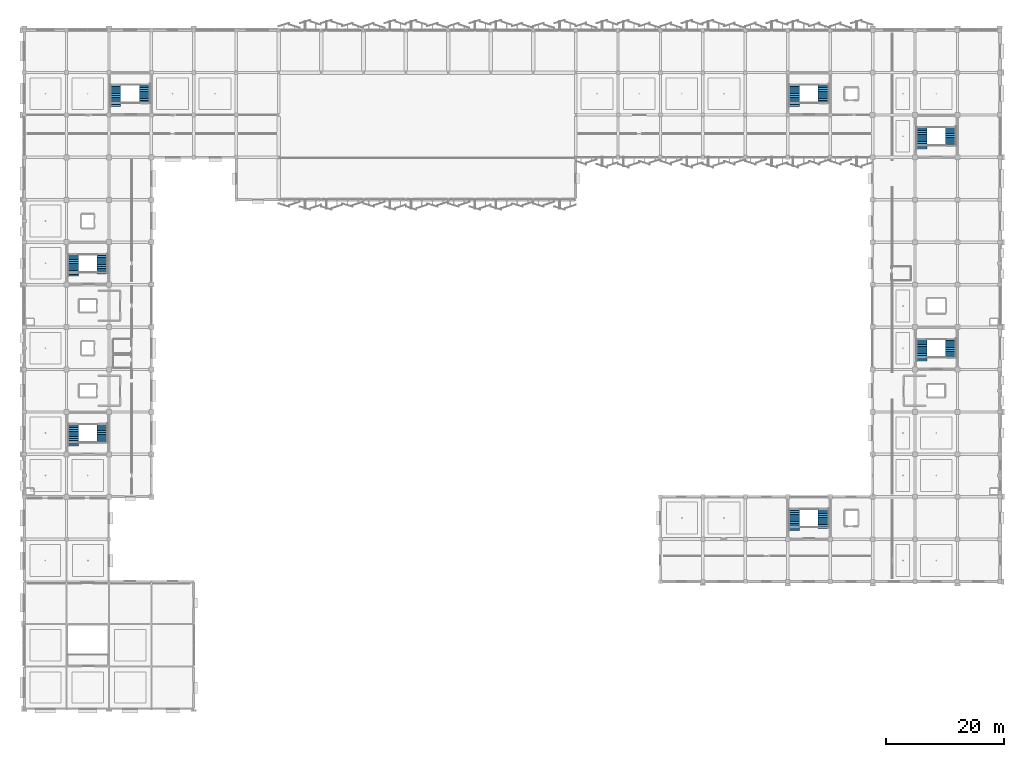
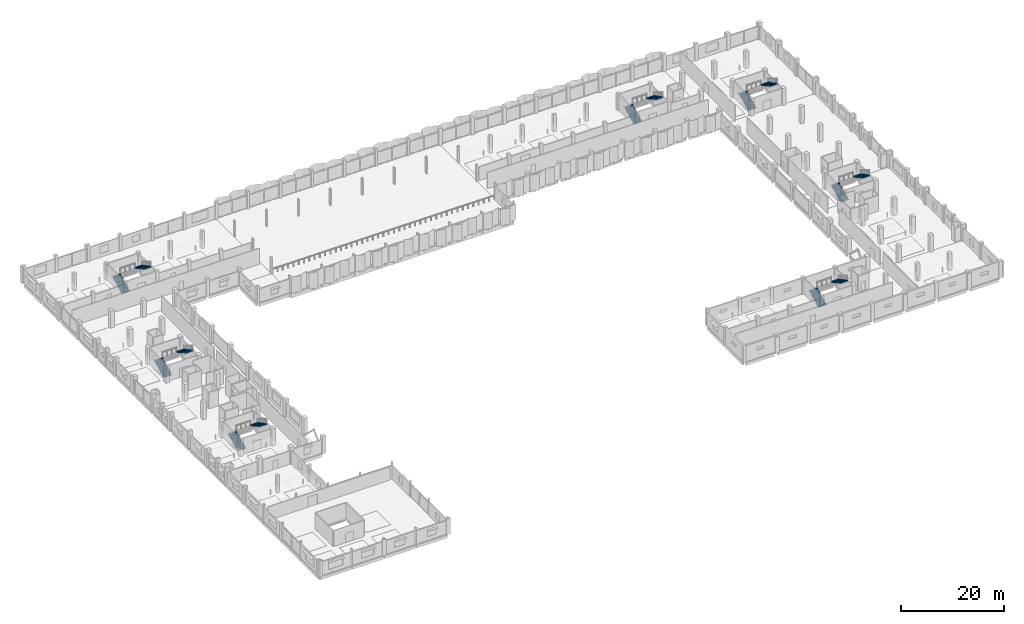
# One storey, part 86 of 107: 14 stair flights, 7 elements without a shape of their own.
"""IFC4 building model written with IfcOpenShell, lengths in metres."""

from ifc_helpers import new_model, si_unit, direction, frame, origin, place, context, subcontext, project, spatial, polyline, outline, extrude, material, type_object, element, aggregate, save


model = new_model("IFC4")

# Units and contexts
model_context = context("Model", 3, precision=1e-05, world=origin(), true_north=direction((0.0, 1.0)))
body_context = subcontext(model_context, "Body", "Model", "MODEL_VIEW")
ifc_project = project(units=[si_unit("LENGTHUNIT", "METRE"), si_unit("AREAUNIT", "SQUARE_METRE"), si_unit("VOLUMEUNIT", "CUBIC_METRE"), si_unit("PLANEANGLEUNIT", "RADIAN"), si_unit("MASSUNIT", "GRAM", prefix="KILO")], contexts=[model_context])

# Site, building, storey
site_placement = place(None, origin())
site = spatial("IfcSite", under=ifc_project, at=site_placement, CompositionType="ELEMENT")
building_placement = place(site_placement, origin())
building = spatial("IfcBuilding", under=site, at=building_placement, Name="Kangsadwip Square Police Headquarters", CompositionType="ELEMENT")
storey_placement = place(building_placement, frame((0.0, 0.0, 5.39990234375)))
storey = spatial("IfcBuildingStorey", under=building, at=storey_placement, Name="L01", CompositionType="ELEMENT", Elevation=5.39990234375)

# Stair, stair flight
ifc_material_1 = material(Name="Concrete M35 (35 MPa)", Category="concrete")
stair_type_1 = type_object("IfcStairType", Name="Stair2FlightSecW1800", PredefinedType="HALF_TURN_STAIR", material=ifc_material_1)
stair_1_placement = place(storey_placement, origin())
stair_1 = element("IfcStair", 1, at=stair_1_placement, inside=storey, type_object=stair_type_1, Name="Protected Stair ST-07 L01", PredefinedType="HALF_TURN_STAIR")
ifc_material_2 = material(Name="Concrete M35 (35 MPa)", Category="concrete")
stair_flight_type_1 = type_object("IfcStairFlightType", Name="Flight12RSecW1800", PredefinedType="STRAIGHT", material=ifc_material_2)
stair_flight_1_placement = place(storey_placement, frame((20.52001953125, 106.06005859375, 2.106201171875), z_axis=(0.0, 0.0, 1.0), x_axis=(0.0, -1.0, 0.0)))
stair_flight_1 = element("IfcStairFlight", 2, at=stair_flight_1_placement, type_object=stair_flight_type_1, Name="ST-07 flight 2", NumberOfRisers=12, NumberOfTreads=11, PredefinedType="STRAIGHT", RiserHeight=0.162, TreadLength=0.31, context=body_context, shape_type="SweptSolid", body=[
    extrude(outline(polyline([(0.0, 0.0), (0.0, 0.162109375), (0.31005859375, 0.162109375), (0.31005859375, 0.323974609375), (0.6201171875, 0.323974609375), (0.6201171875, 0.486083984375), (0.929931640625, 0.486083984375), (0.929931640625, 0.64794921875), (1.239990234375, 0.64794921875), (1.239990234375, 0.81005859375), (1.550048828125, 0.81005859375), (1.550048828125, 0.971923828125), (1.860107421875, 0.971923828125), (1.860107421875, 1.134033203125), (2.169921875, 1.134033203125), (2.169921875, 1.2958984375), (2.47998046875, 1.2958984375), (2.47998046875, 1.4580078125), (2.7900390625, 1.4580078125), (2.7900390625, 1.6201171875), (3.10009765625, 1.6201171875), (3.10009765625, 1.781982421875), (3.409912109375, 1.781982421875), (3.409912109375, 1.944091796875), (3.409912109375, 1.6015625), (0.34521484375, 0.0), (0.0, 0.0)])), frame((0.0, 0.89990234375, 0.0), z_axis=(0.0, -1.0, 0.0), x_axis=(1.0, 0.0, 0.0)), (0.0, 0.0, 1.0), 1.800048828125),
])

ifc_material_3 = material(Name="Concrete M35 (35 MPa)", Category="concrete")
stair_type_2 = type_object("IfcStairType", Name="Stair2FlightTypW1850", PredefinedType="HALF_TURN_STAIR", material=ifc_material_3)
stair_2_placement = place(storey_placement, origin())
stair_2 = element("IfcStair", 3, at=stair_2_placement, inside=storey, type_object=stair_type_2, Name="Protected Stair ST-01 L01", PredefinedType="HALF_TURN_STAIR")
ifc_material_4 = material(Name="Concrete M35 (35 MPa)", Category="concrete")
stair_flight_type_2 = type_object("IfcStairFlightType", Name="Flight12RTypW1850", PredefinedType="STRAIGHT", material=ifc_material_4)
stair_flight_2_placement = place(storey_placement, frame((13.294921875, 48.4599609375, 2.106201171875), z_axis=(0.0, 0.0, 1.0), x_axis=(0.0, -1.0, 0.0)))
stair_flight_2 = element("IfcStairFlight", 4, at=stair_flight_2_placement, type_object=stair_flight_type_2, Name="ST-01 flight 2", NumberOfRisers=12, NumberOfTreads=11, PredefinedType="STRAIGHT", RiserHeight=0.162, TreadLength=0.31, context=body_context, shape_type="SweptSolid", body=[
    extrude(outline(polyline([(0.0, 0.0), (0.0, 0.162109375), (0.31005859375, 0.162109375), (0.31005859375, 0.323974609375), (0.6201171875, 0.323974609375), (0.6201171875, 0.486083984375), (0.929931640625, 0.486083984375), (0.929931640625, 0.64794921875), (1.239990234375, 0.64794921875), (1.239990234375, 0.81005859375), (1.550048828125, 0.81005859375), (1.550048828125, 0.971923828125), (1.860107421875, 0.971923828125), (1.860107421875, 1.134033203125), (2.169921875, 1.134033203125), (2.169921875, 1.2958984375), (2.47998046875, 1.2958984375), (2.47998046875, 1.4580078125), (2.7900390625, 1.4580078125), (2.7900390625, 1.6201171875), (3.10009765625, 1.6201171875), (3.10009765625, 1.781982421875), (3.409912109375, 1.781982421875), (3.409912109375, 1.944091796875), (3.409912109375, 1.6015625), (0.34521484375, 0.0), (0.0, 0.0)])), frame((0.0, 0.925048828125, 0.0), z_axis=(0.0, -1.0, 0.0), x_axis=(1.0, 0.0, 0.0)), (0.0, 0.0, 1.0), 1.85009765625),
])

stair_3_placement = place(storey_placement, origin())
stair_3 = element("IfcStair", 5, at=stair_3_placement, inside=storey, type_object=stair_type_2, Name="Protected Stair ST-02 L01", PredefinedType="HALF_TURN_STAIR")
stair_flight_3_placement = place(storey_placement, frame((13.294921875, 77.260009765625, 2.106201171875), z_axis=(0.0, 0.0, 1.0), x_axis=(0.0, -1.0, 0.0)))
stair_flight_3 = element("IfcStairFlight", 6, at=stair_flight_3_placement, type_object=stair_flight_type_2, Name="ST-02 flight 2", NumberOfRisers=12, NumberOfTreads=11, PredefinedType="STRAIGHT", RiserHeight=0.162, TreadLength=0.31, context=body_context, shape_type="SweptSolid", body=[
    extrude(outline(polyline([(0.0, 0.0), (0.0, 0.162109375), (0.31005859375, 0.162109375), (0.31005859375, 0.323974609375), (0.6201171875, 0.323974609375), (0.6201171875, 0.486083984375), (0.929931640625, 0.486083984375), (0.929931640625, 0.64794921875), (1.239990234375, 0.64794921875), (1.239990234375, 0.81005859375), (1.550048828125, 0.81005859375), (1.550048828125, 0.971923828125), (1.860107421875, 0.971923828125), (1.860107421875, 1.134033203125), (2.169921875, 1.134033203125), (2.169921875, 1.2958984375), (2.47998046875, 1.2958984375), (2.47998046875, 1.4580078125), (2.7900390625, 1.4580078125), (2.7900390625, 1.6201171875), (3.10009765625, 1.6201171875), (3.10009765625, 1.781982421875), (3.409912109375, 1.781982421875), (3.409912109375, 1.944091796875), (3.409912109375, 1.6015625), (0.34521484375, 0.0), (0.0, 0.0)])), frame((0.0, 0.925048828125, 0.0), z_axis=(0.0, -1.0, 0.0), x_axis=(1.0, 0.0, 0.0)), (0.0, 0.0, 1.0), 1.85009765625),
])

stair_4_placement = place(storey_placement, origin())
stair_4 = element("IfcStair", 7, at=stair_4_placement, inside=storey, type_object=stair_type_2, Name="Protected Stair ST-03 L01", PredefinedType="HALF_TURN_STAIR")
stair_flight_4_placement = place(storey_placement, frame((157.294921875, 62.860107421875, 2.106201171875), z_axis=(0.0, 0.0, 1.0), x_axis=(0.0, -1.0, 0.0)))
stair_flight_4 = element("IfcStairFlight", 8, at=stair_flight_4_placement, type_object=stair_flight_type_2, Name="ST-03 flight 2", NumberOfRisers=12, NumberOfTreads=11, PredefinedType="STRAIGHT", RiserHeight=0.162, TreadLength=0.31, context=body_context, shape_type="SweptSolid", body=[
    extrude(outline(polyline([(0.0, 0.0), (0.0, 0.162109375), (0.31005859375, 0.162109375), (0.31005859375, 0.323974609375), (0.6201171875, 0.323974609375), (0.6201171875, 0.486083984375), (0.929931640625, 0.486083984375), (0.929931640625, 0.64794921875), (1.239990234375, 0.64794921875), (1.239990234375, 0.81005859375), (1.550048828125, 0.81005859375), (1.550048828125, 0.971923828125), (1.860107421875, 0.971923828125), (1.860107421875, 1.134033203125), (2.169921875, 1.134033203125), (2.169921875, 1.2958984375), (2.47998046875, 1.2958984375), (2.47998046875, 1.4580078125), (2.7900390625, 1.4580078125), (2.7900390625, 1.6201171875), (3.10009765625, 1.6201171875), (3.10009765625, 1.781982421875), (3.409912109375, 1.781982421875), (3.409912109375, 1.944091796875), (3.409912109375, 1.6015625), (0.34521484375, 0.0), (0.0, 0.0)])), frame((0.0, 0.925048828125, 0.0), z_axis=(0.0, -1.0, 0.0), x_axis=(1.0, 0.0, 0.0)), (0.0, 0.0, 1.0), 1.85009765625),
])

stair_5_placement = place(storey_placement, origin())
stair_5 = element("IfcStair", 9, at=stair_5_placement, inside=storey, type_object=stair_type_2, Name="Protected Stair ST-04 L01", PredefinedType="HALF_TURN_STAIR")
stair_flight_5_placement = place(storey_placement, frame((157.294921875, 98.860107421875, 2.106201171875), z_axis=(0.0, 0.0, 1.0), x_axis=(0.0, -1.0, 0.0)))
stair_flight_5 = element("IfcStairFlight", 10, at=stair_flight_5_placement, type_object=stair_flight_type_2, Name="ST-04 flight 2", NumberOfRisers=12, NumberOfTreads=11, PredefinedType="STRAIGHT", RiserHeight=0.162, TreadLength=0.31, context=body_context, shape_type="SweptSolid", body=[
    extrude(outline(polyline([(0.0, 0.0), (0.0, 0.162109375), (0.31005859375, 0.162109375), (0.31005859375, 0.323974609375), (0.6201171875, 0.323974609375), (0.6201171875, 0.486083984375), (0.929931640625, 0.486083984375), (0.929931640625, 0.64794921875), (1.239990234375, 0.64794921875), (1.239990234375, 0.81005859375), (1.550048828125, 0.81005859375), (1.550048828125, 0.971923828125), (1.860107421875, 0.971923828125), (1.860107421875, 1.134033203125), (2.169921875, 1.134033203125), (2.169921875, 1.2958984375), (2.47998046875, 1.2958984375), (2.47998046875, 1.4580078125), (2.7900390625, 1.4580078125), (2.7900390625, 1.6201171875), (3.10009765625, 1.6201171875), (3.10009765625, 1.781982421875), (3.409912109375, 1.781982421875), (3.409912109375, 1.944091796875), (3.409912109375, 1.6015625), (0.34521484375, 0.0), (0.0, 0.0)])), frame((0.0, 0.925048828125, 0.0), z_axis=(0.0, -1.0, 0.0), x_axis=(1.0, 0.0, 0.0)), (0.0, 0.0, 1.0), 1.85009765625),
])

stair_6_placement = place(storey_placement, origin())
stair_6 = element("IfcStair", 11, at=stair_6_placement, inside=storey, type_object=stair_type_2, Name="Protected Stair ST-05 L01", PredefinedType="HALF_TURN_STAIR")
stair_flight_6_placement = place(storey_placement, frame((135.695068359375, 106.06005859375, 2.106201171875), z_axis=(0.0, 0.0, 1.0), x_axis=(0.0, -1.0, 0.0)))
stair_flight_6 = element("IfcStairFlight", 12, at=stair_flight_6_placement, type_object=stair_flight_type_2, Name="ST-05 flight 2", NumberOfRisers=12, NumberOfTreads=11, PredefinedType="STRAIGHT", RiserHeight=0.162, TreadLength=0.31, context=body_context, shape_type="SweptSolid", body=[
    extrude(outline(polyline([(0.0, 0.0), (0.0, 0.162109375), (0.31005859375, 0.162109375), (0.31005859375, 0.323974609375), (0.6201171875, 0.323974609375), (0.6201171875, 0.486083984375), (0.929931640625, 0.486083984375), (0.929931640625, 0.64794921875), (1.239990234375, 0.64794921875), (1.239990234375, 0.81005859375), (1.550048828125, 0.81005859375), (1.550048828125, 0.971923828125), (1.860107421875, 0.971923828125), (1.860107421875, 1.134033203125), (2.169921875, 1.134033203125), (2.169921875, 1.2958984375), (2.47998046875, 1.2958984375), (2.47998046875, 1.4580078125), (2.7900390625, 1.4580078125), (2.7900390625, 1.6201171875), (3.10009765625, 1.6201171875), (3.10009765625, 1.781982421875), (3.409912109375, 1.781982421875), (3.409912109375, 1.944091796875), (3.409912109375, 1.6015625), (0.34521484375, 0.0), (0.0, 0.0)])), frame((0.0, 0.925048828125, 0.0), z_axis=(0.0, -1.0, 0.0), x_axis=(1.0, 0.0, 0.0)), (0.0, 0.0, 1.0), 1.85009765625),
])

stair_7_placement = place(storey_placement, origin())
stair_7 = element("IfcStair", 13, at=stair_7_placement, inside=storey, type_object=stair_type_2, Name="Protected Stair ST-06 L01", PredefinedType="HALF_TURN_STAIR")
stair_flight_7_placement = place(storey_placement, frame((135.695068359375, 34.06005859375, 2.106201171875), z_axis=(0.0, 0.0, 1.0), x_axis=(0.0, -1.0, 0.0)))
stair_flight_7 = element("IfcStairFlight", 14, at=stair_flight_7_placement, type_object=stair_flight_type_2, Name="ST-06 flight 2", NumberOfRisers=12, NumberOfTreads=11, PredefinedType="STRAIGHT", RiserHeight=0.162, TreadLength=0.31, context=body_context, shape_type="SweptSolid", body=[
    extrude(outline(polyline([(0.0, 0.0), (0.0, 0.162109375), (0.31005859375, 0.162109375), (0.31005859375, 0.323974609375), (0.6201171875, 0.323974609375), (0.6201171875, 0.486083984375), (0.929931640625, 0.486083984375), (0.929931640625, 0.64794921875), (1.239990234375, 0.64794921875), (1.239990234375, 0.81005859375), (1.550048828125, 0.81005859375), (1.550048828125, 0.971923828125), (1.860107421875, 0.971923828125), (1.860107421875, 1.134033203125), (2.169921875, 1.134033203125), (2.169921875, 1.2958984375), (2.47998046875, 1.2958984375), (2.47998046875, 1.4580078125), (2.7900390625, 1.4580078125), (2.7900390625, 1.6201171875), (3.10009765625, 1.6201171875), (3.10009765625, 1.781982421875), (3.409912109375, 1.781982421875), (3.409912109375, 1.944091796875), (3.409912109375, 1.6015625), (0.34521484375, 0.0), (0.0, 0.0)])), frame((0.0, 0.925048828125, 0.0), z_axis=(0.0, -1.0, 0.0), x_axis=(1.0, 0.0, 0.0)), (0.0, 0.0, 1.0), 1.85009765625),
])

# Stair flight
ifc_material_5 = material(Name="Concrete M35 (35 MPa)", Category="concrete")
stair_flight_type_3 = type_object("IfcStairFlightType", Name="Flight13RSecW1800", PredefinedType="STRAIGHT", material=ifc_material_5)
stair_flight_8_placement = place(storey_placement, frame((15.47998046875, 102.239990234375, 0.0), z_axis=(0.0, 0.0, 1.0), x_axis=(0.0, 1.0, 0.0)))
stair_flight_8 = element("IfcStairFlight", 15, at=stair_flight_8_placement, type_object=stair_flight_type_3, Name="ST-07 flight 1", NumberOfRisers=13, NumberOfTreads=12, PredefinedType="STRAIGHT", RiserHeight=0.162, TreadLength=0.31, context=body_context, shape_type="SweptSolid", body=[
    extrude(outline(polyline([(0.0, 0.0), (0.0, 0.162109375), (0.31005859375, 0.162109375), (0.31005859375, 0.323974609375), (0.6201171875, 0.323974609375), (0.6201171875, 0.486083984375), (0.929931640625, 0.486083984375), (0.929931640625, 0.64794921875), (1.239990234375, 0.64794921875), (1.239990234375, 0.81005859375), (1.550048828125, 0.81005859375), (1.550048828125, 0.971923828125), (1.860107421875, 0.971923828125), (1.860107421875, 1.134033203125), (2.169921875, 1.134033203125), (2.169921875, 1.2958984375), (2.47998046875, 1.2958984375), (2.47998046875, 1.4580078125), (2.7900390625, 1.4580078125), (2.7900390625, 1.6201171875), (3.10009765625, 1.6201171875), (3.10009765625, 1.781982421875), (3.409912109375, 1.781982421875), (3.409912109375, 1.944091796875), (3.719970703125, 1.944091796875), (3.719970703125, 2.10595703125), (3.719970703125, 1.763671875), (0.34521484375, 0.0), (0.0, 0.0)])), frame((0.0, 0.89990234375, 0.0), z_axis=(0.0, -1.0, 0.0), x_axis=(1.0, 0.0, 0.0)), (0.0, 0.0, 1.0), 1.800048828125),
])

aggregate(stair_1, [stair_flight_8, stair_flight_1])

ifc_material_6 = material(Name="Concrete M35 (35 MPa)", Category="concrete")
stair_flight_type_4 = type_object("IfcStairFlightType", Name="Flight13RTypW1850", PredefinedType="STRAIGHT", material=ifc_material_6)
stair_flight_9_placement = place(storey_placement, frame((8.304931640625, 44.639892578125, 0.0), z_axis=(0.0, 0.0, 1.0), x_axis=(0.0, 1.0, 0.0)))
stair_flight_9 = element("IfcStairFlight", 16, at=stair_flight_9_placement, type_object=stair_flight_type_4, Name="ST-01 flight 1", NumberOfRisers=13, NumberOfTreads=12, PredefinedType="STRAIGHT", RiserHeight=0.162, TreadLength=0.31, context=body_context, shape_type="SweptSolid", body=[
    extrude(outline(polyline([(0.0, 0.0), (0.0, 0.162109375), (0.31005859375, 0.162109375), (0.31005859375, 0.323974609375), (0.6201171875, 0.323974609375), (0.6201171875, 0.486083984375), (0.929931640625, 0.486083984375), (0.929931640625, 0.64794921875), (1.239990234375, 0.64794921875), (1.239990234375, 0.81005859375), (1.550048828125, 0.81005859375), (1.550048828125, 0.971923828125), (1.860107421875, 0.971923828125), (1.860107421875, 1.134033203125), (2.169921875, 1.134033203125), (2.169921875, 1.2958984375), (2.47998046875, 1.2958984375), (2.47998046875, 1.4580078125), (2.7900390625, 1.4580078125), (2.7900390625, 1.6201171875), (3.10009765625, 1.6201171875), (3.10009765625, 1.781982421875), (3.409912109375, 1.781982421875), (3.409912109375, 1.944091796875), (3.719970703125, 1.944091796875), (3.719970703125, 2.10595703125), (3.719970703125, 1.763671875), (0.34521484375, 0.0), (0.0, 0.0)])), frame((0.0, 0.925048828125, 0.0), z_axis=(0.0, -1.0, 0.0), x_axis=(1.0, 0.0, 0.0)), (0.0, 0.0, 1.0), 1.85009765625),
])

aggregate(stair_2, [stair_flight_9, stair_flight_2])

stair_flight_10_placement = place(storey_placement, frame((8.304931640625, 73.43994140625, 0.0), z_axis=(0.0, 0.0, 1.0), x_axis=(0.0, 1.0, 0.0)))
stair_flight_10 = element("IfcStairFlight", 17, at=stair_flight_10_placement, type_object=stair_flight_type_4, Name="ST-02 flight 1", NumberOfRisers=13, NumberOfTreads=12, PredefinedType="STRAIGHT", RiserHeight=0.162, TreadLength=0.31, context=body_context, shape_type="SweptSolid", body=[
    extrude(outline(polyline([(0.0, 0.0), (0.0, 0.162109375), (0.31005859375, 0.162109375), (0.31005859375, 0.323974609375), (0.6201171875, 0.323974609375), (0.6201171875, 0.486083984375), (0.929931640625, 0.486083984375), (0.929931640625, 0.64794921875), (1.239990234375, 0.64794921875), (1.239990234375, 0.81005859375), (1.550048828125, 0.81005859375), (1.550048828125, 0.971923828125), (1.860107421875, 0.971923828125), (1.860107421875, 1.134033203125), (2.169921875, 1.134033203125), (2.169921875, 1.2958984375), (2.47998046875, 1.2958984375), (2.47998046875, 1.4580078125), (2.7900390625, 1.4580078125), (2.7900390625, 1.6201171875), (3.10009765625, 1.6201171875), (3.10009765625, 1.781982421875), (3.409912109375, 1.781982421875), (3.409912109375, 1.944091796875), (3.719970703125, 1.944091796875), (3.719970703125, 2.10595703125), (3.719970703125, 1.763671875), (0.34521484375, 0.0), (0.0, 0.0)])), frame((0.0, 0.925048828125, 0.0), z_axis=(0.0, -1.0, 0.0), x_axis=(1.0, 0.0, 0.0)), (0.0, 0.0, 1.0), 1.85009765625),
])

aggregate(stair_3, [stair_flight_10, stair_flight_3])

stair_flight_11_placement = place(storey_placement, frame((152.304931640625, 59.0400390625, 0.0), z_axis=(0.0, 0.0, 1.0), x_axis=(0.0, 1.0, 0.0)))
stair_flight_11 = element("IfcStairFlight", 18, at=stair_flight_11_placement, type_object=stair_flight_type_4, Name="ST-03 flight 1", NumberOfRisers=13, NumberOfTreads=12, PredefinedType="STRAIGHT", RiserHeight=0.162, TreadLength=0.31, context=body_context, shape_type="SweptSolid", body=[
    extrude(outline(polyline([(0.0, 0.0), (0.0, 0.162109375), (0.31005859375, 0.162109375), (0.31005859375, 0.323974609375), (0.6201171875, 0.323974609375), (0.6201171875, 0.486083984375), (0.929931640625, 0.486083984375), (0.929931640625, 0.64794921875), (1.239990234375, 0.64794921875), (1.239990234375, 0.81005859375), (1.550048828125, 0.81005859375), (1.550048828125, 0.971923828125), (1.860107421875, 0.971923828125), (1.860107421875, 1.134033203125), (2.169921875, 1.134033203125), (2.169921875, 1.2958984375), (2.47998046875, 1.2958984375), (2.47998046875, 1.4580078125), (2.7900390625, 1.4580078125), (2.7900390625, 1.6201171875), (3.10009765625, 1.6201171875), (3.10009765625, 1.781982421875), (3.409912109375, 1.781982421875), (3.409912109375, 1.944091796875), (3.719970703125, 1.944091796875), (3.719970703125, 2.10595703125), (3.719970703125, 1.763671875), (0.34521484375, 0.0), (0.0, 0.0)])), frame((0.0, 0.925048828125, 0.0), z_axis=(0.0, -1.0, 0.0), x_axis=(1.0, 0.0, 0.0)), (0.0, 0.0, 1.0), 1.85009765625),
])

aggregate(stair_4, [stair_flight_11, stair_flight_4])

stair_flight_12_placement = place(storey_placement, frame((152.304931640625, 95.0400390625, 0.0), z_axis=(0.0, 0.0, 1.0), x_axis=(0.0, 1.0, 0.0)))
stair_flight_12 = element("IfcStairFlight", 19, at=stair_flight_12_placement, type_object=stair_flight_type_4, Name="ST-04 flight 1", NumberOfRisers=13, NumberOfTreads=12, PredefinedType="STRAIGHT", RiserHeight=0.162, TreadLength=0.31, context=body_context, shape_type="SweptSolid", body=[
    extrude(outline(polyline([(0.0, 0.0), (0.0, 0.162109375), (0.31005859375, 0.162109375), (0.31005859375, 0.323974609375), (0.6201171875, 0.323974609375), (0.6201171875, 0.486083984375), (0.929931640625, 0.486083984375), (0.929931640625, 0.64794921875), (1.239990234375, 0.64794921875), (1.239990234375, 0.81005859375), (1.550048828125, 0.81005859375), (1.550048828125, 0.971923828125), (1.860107421875, 0.971923828125), (1.860107421875, 1.134033203125), (2.169921875, 1.134033203125), (2.169921875, 1.2958984375), (2.47998046875, 1.2958984375), (2.47998046875, 1.4580078125), (2.7900390625, 1.4580078125), (2.7900390625, 1.6201171875), (3.10009765625, 1.6201171875), (3.10009765625, 1.781982421875), (3.409912109375, 1.781982421875), (3.409912109375, 1.944091796875), (3.719970703125, 1.944091796875), (3.719970703125, 2.10595703125), (3.719970703125, 1.763671875), (0.34521484375, 0.0), (0.0, 0.0)])), frame((0.0, 0.925048828125, 0.0), z_axis=(0.0, -1.0, 0.0), x_axis=(1.0, 0.0, 0.0)), (0.0, 0.0, 1.0), 1.85009765625),
])

aggregate(stair_5, [stair_flight_12, stair_flight_5])

stair_flight_13_placement = place(storey_placement, frame((130.705078125, 102.239990234375, 0.0), z_axis=(0.0, 0.0, 1.0), x_axis=(0.0, 1.0, 0.0)))
stair_flight_13 = element("IfcStairFlight", 20, at=stair_flight_13_placement, type_object=stair_flight_type_4, Name="ST-05 flight 1", NumberOfRisers=13, NumberOfTreads=12, PredefinedType="STRAIGHT", RiserHeight=0.162, TreadLength=0.31, context=body_context, shape_type="SweptSolid", body=[
    extrude(outline(polyline([(0.0, 0.0), (0.0, 0.162109375), (0.31005859375, 0.162109375), (0.31005859375, 0.323974609375), (0.6201171875, 0.323974609375), (0.6201171875, 0.486083984375), (0.929931640625, 0.486083984375), (0.929931640625, 0.64794921875), (1.239990234375, 0.64794921875), (1.239990234375, 0.81005859375), (1.550048828125, 0.81005859375), (1.550048828125, 0.971923828125), (1.860107421875, 0.971923828125), (1.860107421875, 1.134033203125), (2.169921875, 1.134033203125), (2.169921875, 1.2958984375), (2.47998046875, 1.2958984375), (2.47998046875, 1.4580078125), (2.7900390625, 1.4580078125), (2.7900390625, 1.6201171875), (3.10009765625, 1.6201171875), (3.10009765625, 1.781982421875), (3.409912109375, 1.781982421875), (3.409912109375, 1.944091796875), (3.719970703125, 1.944091796875), (3.719970703125, 2.10595703125), (3.719970703125, 1.763671875), (0.34521484375, 0.0), (0.0, 0.0)])), frame((0.0, 0.925048828125, 0.0), z_axis=(0.0, -1.0, 0.0), x_axis=(1.0, 0.0, 0.0)), (0.0, 0.0, 1.0), 1.85009765625),
])

aggregate(stair_6, [stair_flight_13, stair_flight_6])

stair_flight_14_placement = place(storey_placement, frame((130.705078125, 30.239990234375, 0.0), z_axis=(0.0, 0.0, 1.0), x_axis=(0.0, 1.0, 0.0)))
stair_flight_14 = element("IfcStairFlight", 21, at=stair_flight_14_placement, type_object=stair_flight_type_4, Name="ST-06 flight 1", NumberOfRisers=13, NumberOfTreads=12, PredefinedType="STRAIGHT", RiserHeight=0.162, TreadLength=0.31, context=body_context, shape_type="SweptSolid", body=[
    extrude(outline(polyline([(0.0, 0.0), (0.0, 0.162109375), (0.31005859375, 0.162109375), (0.31005859375, 0.323974609375), (0.6201171875, 0.323974609375), (0.6201171875, 0.486083984375), (0.929931640625, 0.486083984375), (0.929931640625, 0.64794921875), (1.239990234375, 0.64794921875), (1.239990234375, 0.81005859375), (1.550048828125, 0.81005859375), (1.550048828125, 0.971923828125), (1.860107421875, 0.971923828125), (1.860107421875, 1.134033203125), (2.169921875, 1.134033203125), (2.169921875, 1.2958984375), (2.47998046875, 1.2958984375), (2.47998046875, 1.4580078125), (2.7900390625, 1.4580078125), (2.7900390625, 1.6201171875), (3.10009765625, 1.6201171875), (3.10009765625, 1.781982421875), (3.409912109375, 1.781982421875), (3.409912109375, 1.944091796875), (3.719970703125, 1.944091796875), (3.719970703125, 2.10595703125), (3.719970703125, 1.763671875), (0.34521484375, 0.0), (0.0, 0.0)])), frame((0.0, 0.925048828125, 0.0), z_axis=(0.0, -1.0, 0.0), x_axis=(1.0, 0.0, 0.0)), (0.0, 0.0, 1.0), 1.85009765625),
])

aggregate(stair_7, [stair_flight_14, stair_flight_7])

save(model, "model.ifc")
